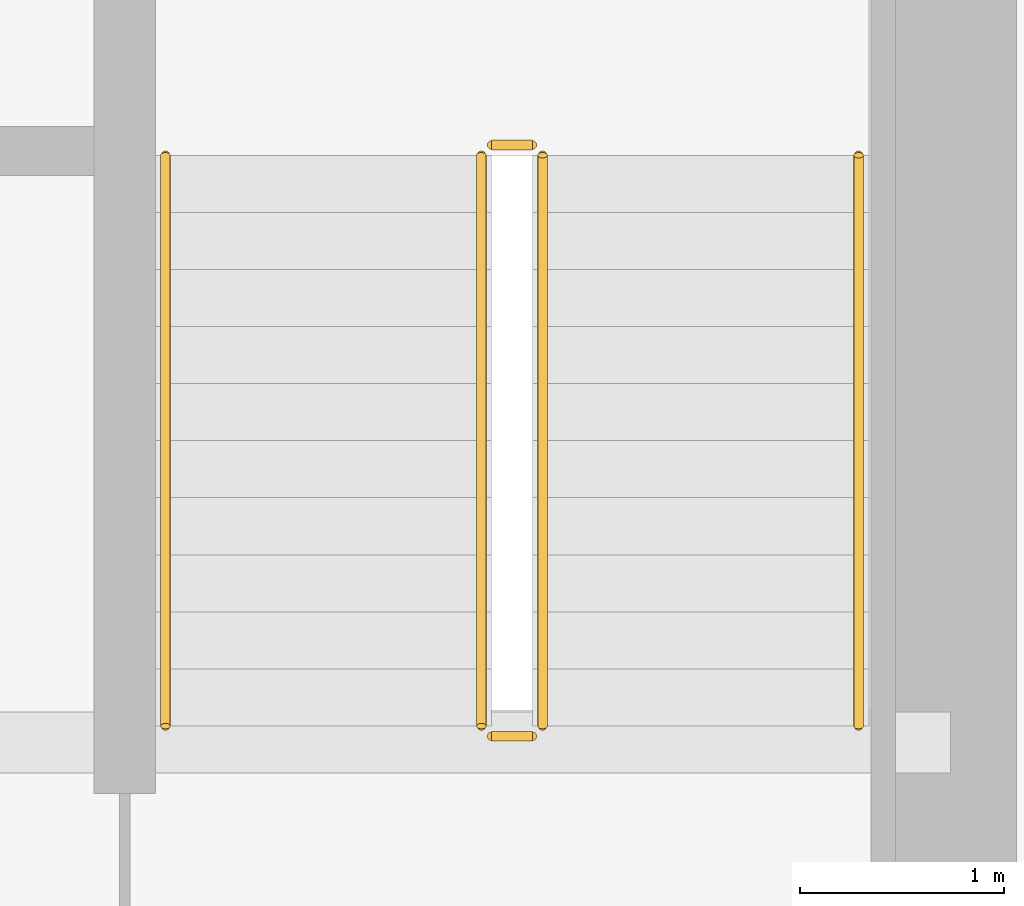
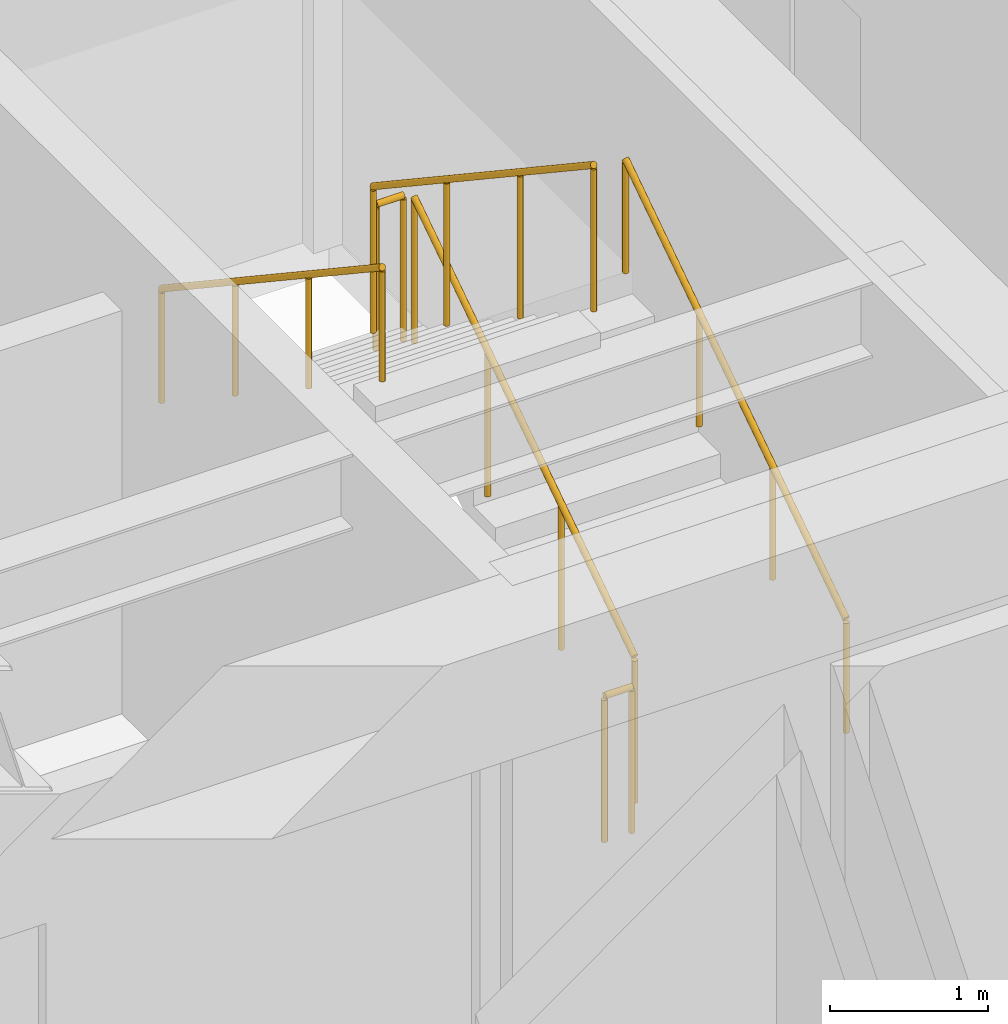
# One storey, part 30 of 30: 6 railings.
"""IFC4 building model written with IfcOpenShell, lengths in metres."""

from ifc_helpers import new_model, si_unit, direction, frame, origin, origin_2d, place, context, subcontext, project, spatial, circle, extrude, source, transform, mapped, material, type_object, type_shapes, element, save


model = new_model("IFC4")

# Units and contexts
model_context = context("Model", 3, precision=1e-05, world=origin(), true_north=direction((0.0, 1.0)))
body_context = subcontext(model_context, "Body", "Model", "MODEL_VIEW")
ifc_project = project(units=[si_unit("LENGTHUNIT", "METRE"), si_unit("AREAUNIT", "SQUARE_METRE"), si_unit("VOLUMEUNIT", "CUBIC_METRE"), si_unit("PLANEANGLEUNIT", "RADIAN"), si_unit("MASSUNIT", "GRAM", prefix="KILO")], contexts=[model_context])

# Site, building, storey
site_placement = place(None, origin())
site = spatial("IfcSite", under=ifc_project, at=site_placement, CompositionType="ELEMENT")
building_placement = place(site_placement, origin())
building = spatial("IfcBuilding", under=site, at=building_placement, Name="Haelvirn Gate Laboratories", CompositionType="ELEMENT")
storey_placement = place(building_placement, frame((0.0, 0.0, 105.10009765625)))
storey = spatial("IfcBuildingStorey", under=building, at=storey_placement, Name="L25", CompositionType="ELEMENT", Elevation=105.10009765625)

# Railings
ifc_material_1 = material(Name="Galvanised steel SM355 & stainless top rail", Category="steel")
railing_type_1 = type_object("IfcRailingType", Name="RL-GUARD-1150", PredefinedType="GUARDRAIL", material=ifc_material_1)
shared_shape_1 = source(origin(), body_context, "Body", "SweptSolid", [
    extrude(circle(Radius=0.02392578125, at=origin_2d()), frame((0.0, 0.0, 1.1259765625), z_axis=(0.0, 0.832485552168, 0.554046753832), x_axis=(-1.0, 0.0, 0.0)), (0.0, 0.0, 1.0), 3.363525390625),
    extrude(circle(Radius=0.02099609375, at=origin_2d()), origin(), (0.0, 0.0, 1.0), 1.101806640625),
    extrude(circle(Radius=0.02099609375, at=origin_2d()), frame((0.0, 0.933349609375, 0.62109375)), (0.0, 0.0, 1.0), 1.101806640625),
    extrude(circle(Radius=0.02099609375, at=origin_2d()), frame((0.0, 1.86669921875, 1.242431640625)), (0.0, 0.0, 1.0), 1.101806640625),
    extrude(circle(Radius=0.02099609375, at=origin_2d()), frame((0.0, 2.800048828125, 1.863525390625)), (0.0, 0.0, 1.0), 1.101806640625),
])
railing_1_placement = place(storey_placement, frame((65.39990234375, 26.699951171875, 0.186279296875)))
element("IfcRailing", 1, at=railing_1_placement, inside=storey, type_object=railing_type_1, Name="L25 ST2 stair guard 1", PredefinedType="GUARDRAIL", context=body_context, shape_type="MappedRepresentation", body=[
    mapped(shared_shape_1, transform((0.0, 0.0, 0.0), scale=1.0)),
])
ifc_material_2 = material(Name="Brushed stainless steel 316L", Category="steel")
railing_type_2 = type_object("IfcRailingType", Name="RL-HAND-920", PredefinedType="HANDRAIL", material=ifc_material_2)
shared_shape_2 = source(origin(), body_context, "Body", "SweptSolid", [
    extrude(circle(Radius=0.02392578125, at=origin_2d()), frame((0.0, 0.0, 0.8759765625), z_axis=(0.0, 0.832485552168, 0.554046753832), x_axis=(-1.0, 0.0, 0.0)), (0.0, 0.0, 1.0), 3.363525390625),
    extrude(circle(Radius=0.02099609375, at=origin_2d()), origin(), (0.0, 0.0, 1.0), 0.851806640625),
    extrude(circle(Radius=0.02099609375, at=origin_2d()), frame((0.0, 0.933349609375, 0.62109375)), (0.0, 0.0, 1.0), 0.851806640625),
    extrude(circle(Radius=0.02099609375, at=origin_2d()), frame((0.0, 1.86669921875, 1.242431640625)), (0.0, 0.0, 1.0), 0.851806640625),
    extrude(circle(Radius=0.02099609375, at=origin_2d()), frame((0.0, 2.800048828125, 1.863525390625)), (0.0, 0.0, 1.0), 0.851806640625),
])
railing_2_placement = place(storey_placement, frame((66.949951171875, 26.699951171875, 0.186279296875)))
element("IfcRailing", 2, at=railing_2_placement, inside=storey, type_object=railing_type_2, Name="L25 ST2 stair handrail 1", PredefinedType="HANDRAIL", context=body_context, shape_type="MappedRepresentation", body=[
    mapped(shared_shape_2, transform((0.0, 0.0, 0.0), scale=1.0)),
])
shared_shape_3 = source(origin(), body_context, "Body", "SweptSolid", [
    extrude(circle(Radius=0.02392578125, at=origin_2d()), frame((0.0, 0.0, 1.1259765625), z_axis=(0.0, -0.832485552168, 0.554046753832), x_axis=(1.0, 0.0, 0.0)), (0.0, 0.0, 1.0), 3.363525390625),
    extrude(circle(Radius=0.02099609375, at=origin_2d()), origin(), (0.0, 0.0, 1.0), 1.101806640625),
    extrude(circle(Radius=0.02099609375, at=origin_2d()), frame((0.0, -0.933349609375, 0.62109375)), (0.0, 0.0, 1.0), 1.101806640625),
    extrude(circle(Radius=0.02099609375, at=origin_2d()), frame((0.0, -1.86669921875, 1.242431640625)), (0.0, 0.0, 1.0), 1.101806640625),
    extrude(circle(Radius=0.02099609375, at=origin_2d()), frame((0.0, -2.800048828125, 1.863525390625)), (0.0, 0.0, 1.0), 1.101806640625),
])
railing_3_placement = place(storey_placement, frame((65.10009765625, 29.5, 2.236328125)))
element("IfcRailing", 3, at=railing_3_placement, inside=storey, type_object=railing_type_1, Name="L25 ST2 stair guard 3", PredefinedType="GUARDRAIL", context=body_context, shape_type="MappedRepresentation", body=[
    mapped(shared_shape_3, transform((0.0, 0.0, 0.0), scale=1.0)),
])
shared_shape_4 = source(origin(), body_context, "Body", "SweptSolid", [
    extrude(circle(Radius=0.02392578125, at=origin_2d()), frame((0.0, 0.0, 0.8759765625), z_axis=(0.0, -0.832485552168, 0.554046753832), x_axis=(1.0, 0.0, 0.0)), (0.0, 0.0, 1.0), 3.363525390625),
    extrude(circle(Radius=0.02099609375, at=origin_2d()), origin(), (0.0, 0.0, 1.0), 0.851806640625),
    extrude(circle(Radius=0.02099609375, at=origin_2d()), frame((0.0, -0.933349609375, 0.62109375)), (0.0, 0.0, 1.0), 0.851806640625),
    extrude(circle(Radius=0.02099609375, at=origin_2d()), frame((0.0, -1.86669921875, 1.242431640625)), (0.0, 0.0, 1.0), 0.851806640625),
    extrude(circle(Radius=0.02099609375, at=origin_2d()), frame((0.0, -2.800048828125, 1.863525390625)), (0.0, 0.0, 1.0), 0.851806640625),
])
type_shapes(railing_type_2, [shared_shape_2, shared_shape_4])
railing_4_placement = place(storey_placement, frame((63.550048828125, 29.5, 2.236328125)))
element("IfcRailing", 4, at=railing_4_placement, inside=storey, type_object=railing_type_2, Name="L25 ST2 stair handrail 2", PredefinedType="HANDRAIL", context=body_context, shape_type="MappedRepresentation", body=[
    mapped(shared_shape_4, transform((0.0, 0.0, 0.0), scale=1.0)),
])
shared_shape_5 = source(origin(), body_context, "Body", "SweptSolid", [
    extrude(circle(Radius=0.02392578125, at=origin_2d()), frame((0.0, 0.0, 1.1259765625), z_axis=(-1.0, 0.0, 0.0), x_axis=(0.0, -1.0, 0.0)), (0.0, 0.0, 1.0), 0.2001953125),
    extrude(circle(Radius=0.02099609375, at=origin_2d()), origin(), (0.0, 0.0, 1.0), 1.101806640625),
    extrude(circle(Radius=0.02099609375, at=origin_2d()), frame((-0.2001953125, 0.0, 0.0)), (0.0, 0.0, 1.0), 1.101806640625),
])
type_shapes(railing_type_1, [shared_shape_1, shared_shape_3, shared_shape_5])
for number, where, name in (
    (5, (65.35009765625, 29.550048828125, 2.0498046875), "L25 ST2 stair guard 2"),
    (6, (65.35009765625, 26.64990234375, 0.0), "L25 ST2 stair guard 4"),
):
    element("IfcRailing", number, at=place(storey_placement, frame(where)), inside=storey, type_object=railing_type_1, Name=name, PredefinedType="GUARDRAIL", context=body_context, shape_type="MappedRepresentation", body=[
        mapped(shared_shape_5, transform((0.0, 0.0, 0.0), scale=1.0)),
    ])

save(model, "model.ifc")
